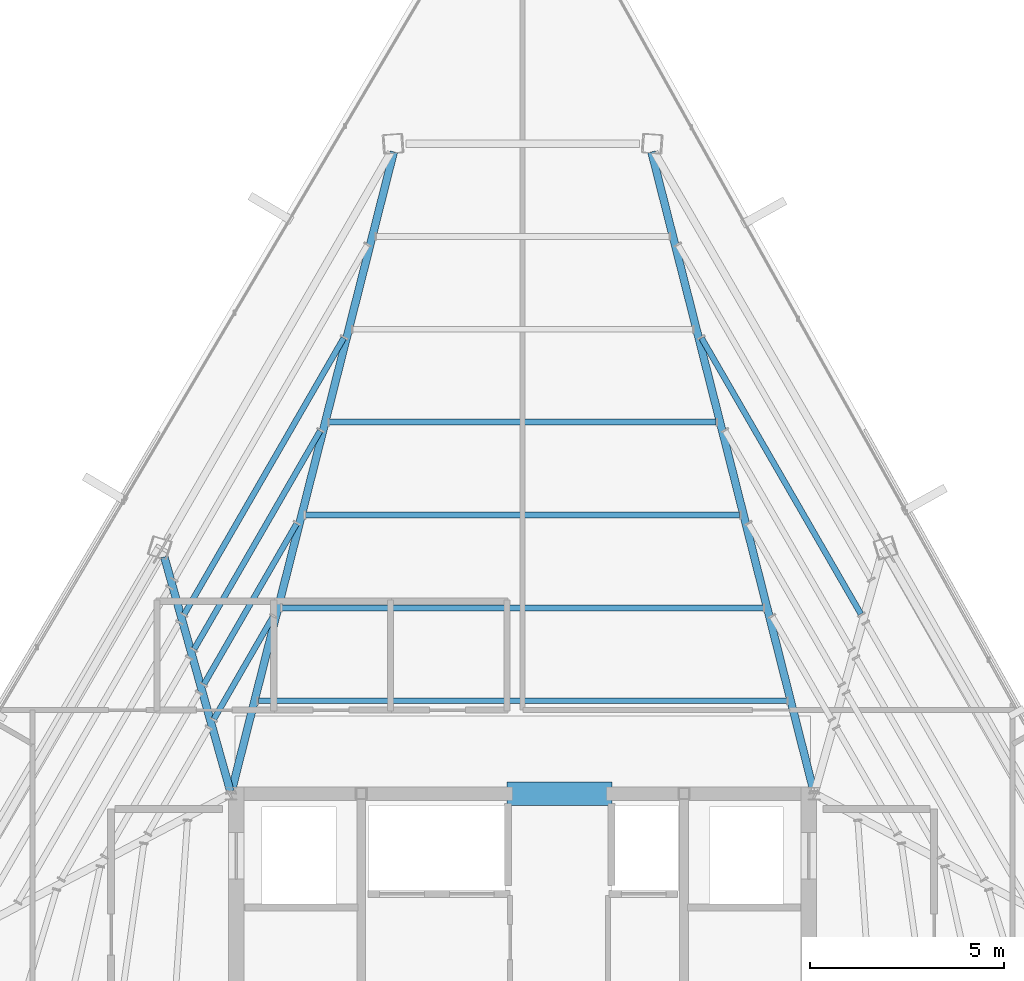
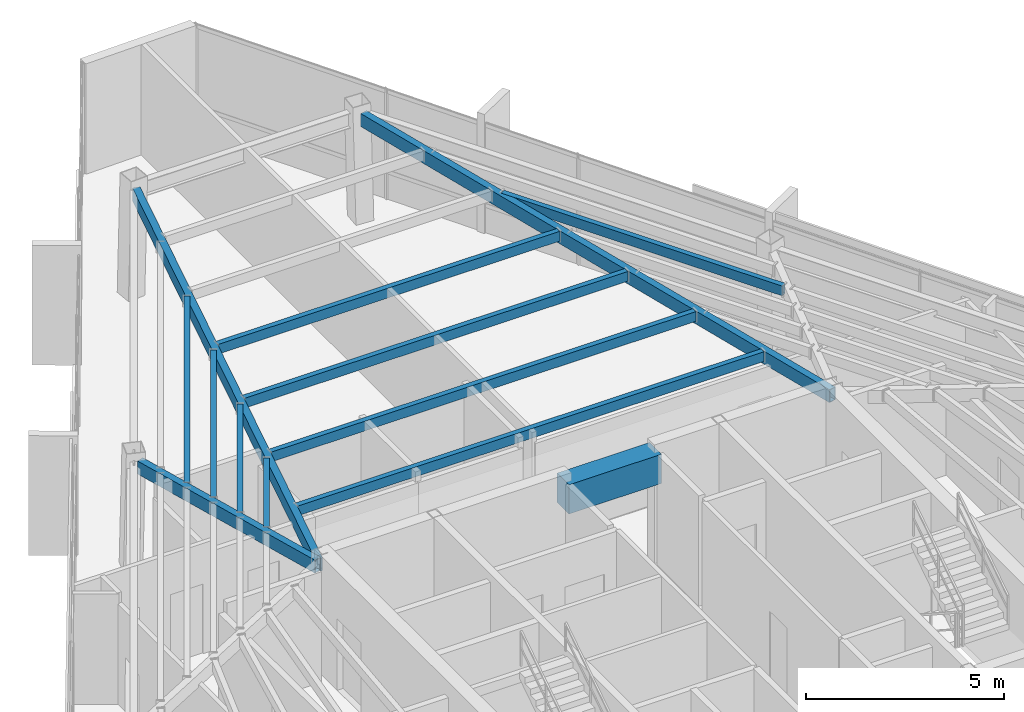
# One storey, part 20 of 48: 13 beams.
"""IFC4 building model written with IfcOpenShell, lengths in metres."""

from ifc_helpers import new_model, si_unit, direction, frame, origin, origin_2d, place, context, subcontext, project, spatial, rectangle, hollow_rectangle, extrude, source, transform, mapped, material, material_profile, profile_set, type_object, type_shapes, element, save


model = new_model("IFC4")

# Units and contexts
model_context = context("Model", 3, precision=1e-05, world=origin(), true_north=direction((0.0, 1.0)))
body_context = subcontext(model_context, "Body", "Model", "MODEL_VIEW")
ifc_project = project(units=[si_unit("LENGTHUNIT", "METRE"), si_unit("AREAUNIT", "SQUARE_METRE"), si_unit("VOLUMEUNIT", "CUBIC_METRE"), si_unit("PLANEANGLEUNIT", "RADIAN"), si_unit("MASSUNIT", "GRAM", prefix="KILO")], contexts=[model_context])

# Site, building, storey
site_placement = place(None, origin())
site = spatial("IfcSite", under=ifc_project, at=site_placement, CompositionType="ELEMENT")
building_placement = place(site_placement, origin())
building = spatial("IfcBuilding", under=site, at=building_placement, Name="Caelisora Broadcast Tower", CompositionType="ELEMENT")
storey_placement = place(building_placement, frame((0.0, 0.0, 277.300048828125)))
storey = spatial("IfcBuildingStorey", under=building, at=storey_placement, Name="L73", CompositionType="ELEMENT", Elevation=277.300048828125)

# Beams
ifc_material_1 = material(Name="Concrete 50 MPa (AS 3600 S50)", Category="concrete")
ifc_material_profile_1 = material_profile(ifc_material_1, rectangle(XDim=0.60009765625, YDim=0.89990234375, at=origin_2d()), Name="Concrete 50 MPa (AS 3600 S50)")
ifc_profile_set_1 = profile_set([ifc_material_profile_1], Name="Concrete 50 MPa (AS 3600 S50)")
beam_type_1 = type_object("IfcBeamType", Name="CB02", PredefinedType="LINTEL", material=ifc_profile_set_1)
shared_shape_1 = source(origin(), body_context, "Body", "SweptSolid", [
    extrude(rectangle(XDim=0.60009765625, YDim=0.89990234375, at=origin_2d()), origin(), (0.0, 0.0, 1.0), 2.699951171875),
])
type_shapes(beam_type_1, [shared_shape_1])
beam_1_placement = place(storey_placement, frame((37.60009765625, 30.0, 2.949951171875), z_axis=(1.0, 0.0, 0.0), x_axis=(0.0, 1.0, 0.0)))
element("IfcBeam", 1, at=beam_1_placement, inside=storey, type_object=beam_type_1, Name="L73 beam CB02", PredefinedType="LINTEL", context=body_context, shape_type="MappedRepresentation", body=[
    mapped(shared_shape_1, transform((0.0, 0.0, 0.0), scale=1.0)),
])
ifc_material_2 = material(Name="Steel Grade 350 (AS/NZS 1163 C350L0)", Category="steel")
ifc_material_profile_2 = material_profile(ifc_material_2, hollow_rectangle(XDim=0.199951171875, YDim=0.39990234375, WallThickness=0.012451171875, at=origin_2d()), Name="Steel Grade 350 (AS/NZS 1163 C350L0)")
ifc_profile_set_2 = profile_set([ifc_material_profile_2], Name="Steel Grade 350 (AS/NZS 1163 C350L0)")
beam_type_2 = type_object("IfcBeamType", Name="PG07", PredefinedType="BEAM", material=ifc_profile_set_2)
shared_shape_2 = source(origin(), body_context, "Body", "SweptSolid", [
    extrude(hollow_rectangle(XDim=0.199951171875, YDim=0.39990234375, WallThickness=0.012451171875, at=origin_2d()), origin(), (0.0, 0.0, 1.0), 16.96728515625),
])
for number, where, z_axis, x_axis, name in (
    (2, (45.485107421875, 30.05810546875, 3.199951171875), (-0.245848734801, 0.969308206711, 0.0), (-0.969308206711, -0.245848734801, 0.0), "L73 beam PG07"),
    (3, (30.514892578125, 30.05810546875, 3.199951171875), (0.245848734801, 0.969308206711, 0.0), (-0.969308206711, 0.245848734801, 0.0), "L73 beam PG07"),
):
    element("IfcBeam", number, at=place(storey_placement, frame(where, z_axis=z_axis, x_axis=x_axis)), inside=storey, type_object=beam_type_2, Name=name, PredefinedType="BEAM", context=body_context, shape_type="MappedRepresentation", body=[
        mapped(shared_shape_2, transform((0.0, 0.0, 0.0), scale=1.0)),
    ])
shared_shape_3 = source(origin(), body_context, "Body", "SweptSolid", [
    extrude(hollow_rectangle(XDim=0.199951171875, YDim=0.39990234375, WallThickness=0.012451171875, at=origin_2d()), origin(), (0.0, 0.0, 1.0), 6.264892578125),
])
type_shapes(beam_type_2, [shared_shape_2, shared_shape_3])
beam_2_placement = place(storey_placement, frame((30.483642578125, 30.057861328125, 3.199951171875), z_axis=(-0.27111120115, 0.962548033405, 0.0), x_axis=(-0.962548033405, -0.27111120115, 0.0)))
element("IfcBeam", 4, at=beam_2_placement, inside=storey, type_object=beam_type_2, Name="L73 beam PG07", PredefinedType="BEAM", context=body_context, shape_type="MappedRepresentation", body=[
    mapped(shared_shape_3, transform((0.0, 0.0, 0.0), scale=1.0)),
])
ifc_material_profile_3 = material_profile(ifc_material_2, hollow_rectangle(XDim=0.14990234375, YDim=0.300048828125, WallThickness=0.010009765625, at=origin_2d()), Name="Steel Grade 350 (AS/NZS 1163 C350L0)")
ifc_profile_set_3 = profile_set([ifc_material_profile_3], Name="Steel Grade 350 (AS/NZS 1163 C350L0)")
beam_type_3 = type_object("IfcBeamType", Name="SB05", PredefinedType="JOIST", material=ifc_profile_set_3)
shared_shape_4 = source(origin(), body_context, "Body", "SweptSolid", [
    extrude(hollow_rectangle(XDim=0.14990234375, YDim=0.300048828125, WallThickness=0.010009765625, at=origin_2d()), origin(), (0.0, 0.0, 1.0), 13.587890625),
])
beam_3_placement = place(storey_placement, frame((44.7939453125, 32.38818359375, 3.25), z_axis=(-1.0, 0.0, 0.0), x_axis=(0.0, -1.0, 0.0)))
element("IfcBeam", 5, at=beam_3_placement, inside=storey, type_object=beam_type_3, Name="L73 beam SB05", PredefinedType="JOIST", context=body_context, shape_type="MappedRepresentation", body=[
    mapped(shared_shape_4, transform((0.0, 0.0, 0.0), scale=1.0)),
])
shared_shape_5 = source(origin(), body_context, "Body", "SweptSolid", [
    extrude(hollow_rectangle(XDim=0.14990234375, YDim=0.300048828125, WallThickness=0.010009765625, at=origin_2d()), origin(), (0.0, 0.0, 1.0), 12.37646484375),
])
beam_4_placement = place(storey_placement, frame((44.188232421875, 34.776611328125, 3.25), z_axis=(-1.0, 0.0, 0.0), x_axis=(0.0, -1.0, 0.0)))
element("IfcBeam", 6, at=beam_4_placement, inside=storey, type_object=beam_type_3, Name="L73 beam SB05", PredefinedType="JOIST", context=body_context, shape_type="MappedRepresentation", body=[
    mapped(shared_shape_5, transform((0.0, 0.0, 0.0), scale=1.0)),
])
shared_shape_6 = source(origin(), body_context, "Body", "SweptSolid", [
    extrude(hollow_rectangle(XDim=0.14990234375, YDim=0.300048828125, WallThickness=0.010009765625, at=origin_2d()), origin(), (0.0, 0.0, 1.0), 11.1650390625),
])
beam_5_placement = place(storey_placement, frame((43.58251953125, 37.164794921875, 3.25), z_axis=(-1.0, 0.0, 0.0), x_axis=(0.0, -1.0, 0.0)))
element("IfcBeam", 7, at=beam_5_placement, inside=storey, type_object=beam_type_3, Name="L73 beam SB05", PredefinedType="JOIST", context=body_context, shape_type="MappedRepresentation", body=[
    mapped(shared_shape_6, transform((0.0, 0.0, 0.0), scale=1.0)),
])
shared_shape_7 = source(origin(), body_context, "Body", "SweptSolid", [
    extrude(hollow_rectangle(XDim=0.14990234375, YDim=0.300048828125, WallThickness=0.010009765625, at=origin_2d()), origin(), (0.0, 0.0, 1.0), 9.95361328125),
])
beam_6_placement = place(storey_placement, frame((42.976806640625, 39.552978515625, 3.25), z_axis=(-1.0, 0.0, 0.0), x_axis=(0.0, -1.0, 0.0)))
element("IfcBeam", 8, at=beam_6_placement, inside=storey, type_object=beam_type_3, Name="L73 beam SB05", PredefinedType="JOIST", context=body_context, shape_type="MappedRepresentation", body=[
    mapped(shared_shape_7, transform((0.0, 0.0, 0.0), scale=1.0)),
])
shared_shape_8 = source(origin(), body_context, "Body", "SweptSolid", [
    extrude(hollow_rectangle(XDim=0.14990234375, YDim=0.300048828125, WallThickness=0.010009765625, at=origin_2d()), origin(), (0.0, 0.0, 1.0), 3.0400390625),
])
beam_7_placement = place(storey_placement, frame((31.581298828125, 34.55126953125, 3.25), z_axis=(-0.499991248344, -0.866030456496, 0.0), x_axis=(0.866030456496, -0.499991248344, 0.0)))
element("IfcBeam", 9, at=beam_7_placement, inside=storey, type_object=beam_type_3, Name="L73 beam SB05", PredefinedType="JOIST", context=body_context, shape_type="MappedRepresentation", body=[
    mapped(shared_shape_8, transform((0.0, 0.0, 0.0), scale=1.0)),
])
shared_shape_9 = source(origin(), body_context, "Body", "SweptSolid", [
    extrude(hollow_rectangle(XDim=0.14990234375, YDim=0.300048828125, WallThickness=0.010009765625, at=origin_2d()), origin(), (0.0, 0.0, 1.0), 4.7587890625),
])
beam_8_placement = place(storey_placement, frame((32.187255859375, 36.939453125, 3.25), z_axis=(-0.500012599898, -0.866018129108, 0.0), x_axis=(0.866018129108, -0.500012599898, 0.0)))
element("IfcBeam", 10, at=beam_8_placement, inside=storey, type_object=beam_type_3, Name="L73 beam SB05", PredefinedType="JOIST", context=body_context, shape_type="MappedRepresentation", body=[
    mapped(shared_shape_9, transform((0.0, 0.0, 0.0), scale=1.0)),
])
shared_shape_10 = source(origin(), body_context, "Body", "SweptSolid", [
    extrude(hollow_rectangle(XDim=0.14990234375, YDim=0.300048828125, WallThickness=0.010009765625, at=origin_2d()), origin(), (0.0, 0.0, 1.0), 6.47705078125),
])
beam_9_placement = place(storey_placement, frame((32.79296875, 39.32763671875, 3.25), z_axis=(-0.499994352157, -0.866028664543, 0.0), x_axis=(0.866028664543, -0.499994352157, 0.0)))
element("IfcBeam", 11, at=beam_9_placement, inside=storey, type_object=beam_type_3, Name="L73 beam SB05", PredefinedType="JOIST", context=body_context, shape_type="MappedRepresentation", body=[
    mapped(shared_shape_10, transform((0.0, 0.0, 0.0), scale=1.0)),
])
shared_shape_11 = source(origin(), body_context, "Body", "SweptSolid", [
    extrude(hollow_rectangle(XDim=0.14990234375, YDim=0.300048828125, WallThickness=0.010009765625, at=origin_2d()), origin(), (0.0, 0.0, 1.0), 8.19580078125),
])
type_shapes(beam_type_3, [shared_shape_4, shared_shape_5, shared_shape_6, shared_shape_7, shared_shape_8, shared_shape_9, shared_shape_10, shared_shape_11])
for number, where, z_axis, x_axis, name in (
    (12, (33.398681640625, 41.716064453125, 3.25), (-0.500006098679, -0.866021882682, 0.0), (0.866021882682, -0.500006098679, 0.0), "L73 beam SB05"),
    (13, (46.69921875, 34.618408203125, 3.25), (-0.500006098679, 0.866021882682, 0.0), (-0.866021882682, -0.500006098679, 0.0), "L73 beam SB05"),
):
    element("IfcBeam", number, at=place(storey_placement, frame(where, z_axis=z_axis, x_axis=x_axis)), inside=storey, type_object=beam_type_3, Name=name, PredefinedType="JOIST", context=body_context, shape_type="MappedRepresentation", body=[
        mapped(shared_shape_11, transform((0.0, 0.0, 0.0), scale=1.0)),
    ])

save(model, "model.ifc")
